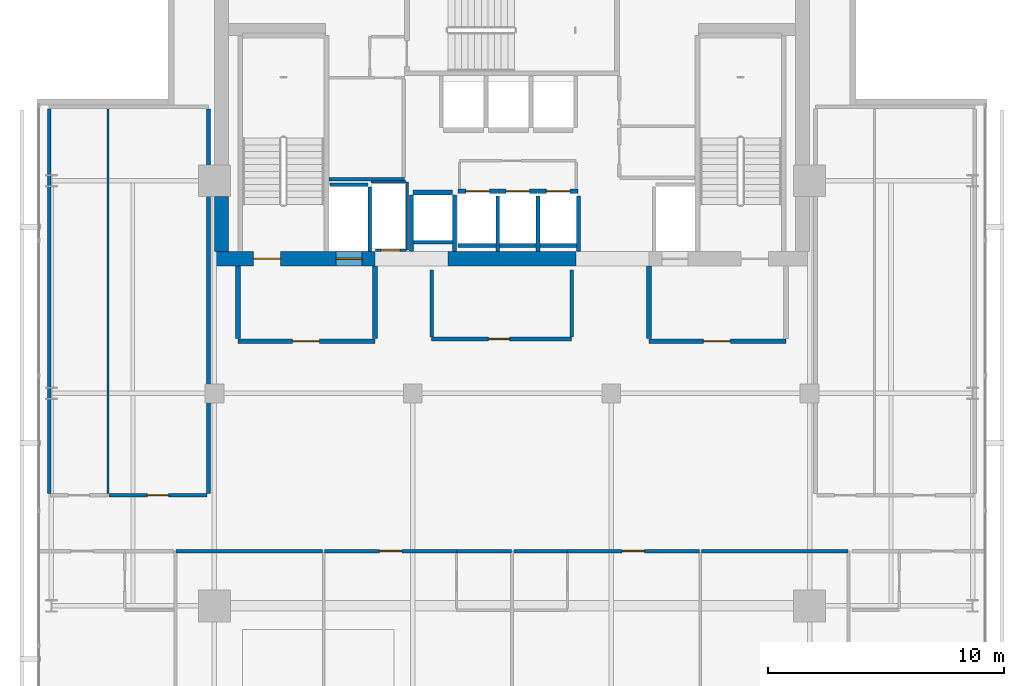
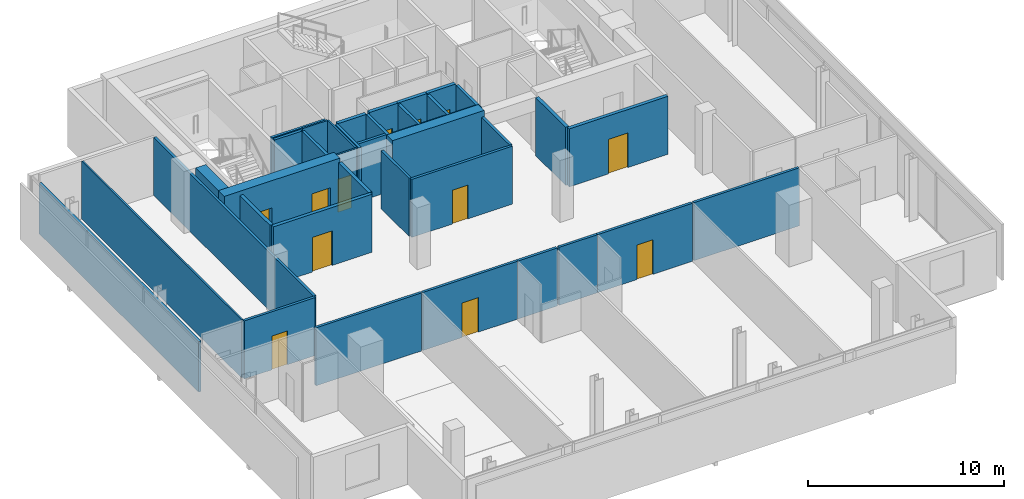
# One storey, part 17 of 23: 38 walls, 12 doors, 12 openings.
"""IFC4 building model written with IfcOpenShell, lengths in metres."""

from ifc_helpers import new_model, si_unit, direction, frame, frame_2d, origin, place, context, subcontext, project, spatial, rectangle, extrude, material, layer, layer_set, type_object, element, fill, save


model = new_model("IFC4")

# Units and contexts
model_context = context("Model", 3, precision=1e-05, world=origin(), true_north=direction((0.0, 1.0)))
body_context = subcontext(model_context, "Body", "Model", "MODEL_VIEW")
ifc_project = project(units=[si_unit("LENGTHUNIT", "METRE"), si_unit("AREAUNIT", "SQUARE_METRE"), si_unit("VOLUMEUNIT", "CUBIC_METRE"), si_unit("PLANEANGLEUNIT", "RADIAN"), si_unit("MASSUNIT", "GRAM", prefix="KILO")], contexts=[model_context])

# Site, building, storey
site_placement = place(None, origin())
site = spatial("IfcSite", under=ifc_project, at=site_placement, CompositionType="ELEMENT")
building_placement = place(site_placement, origin())
building = spatial("IfcBuilding", under=site, at=building_placement, Name="Maruvema Waterfront Hotel and Observation Tower", CompositionType="ELEMENT")
storey_placement = place(building_placement, frame((0.0, 0.0, 341.25)))
storey = spatial("IfcBuildingStorey", under=building, at=storey_placement, Name="L84", CompositionType="ELEMENT", Elevation=341.25)

# Wall
ifc_material_1 = material(Name="Twin-stud acoustic gypsum drywall", Category="gypsum")
ifc_layer_1 = layer(ifc_material_1, 0.14990234375, Name="Acoustic Corridor and Suite Demising Wall 150 mm")
ifc_layer_set_1 = layer_set([ifc_layer_1], Name="Twin-stud acoustic gypsum drywall")
wall_type_1 = type_object("IfcWallType", Name="Acoustic Corridor and Suite Demising Wall 150 mm", PredefinedType="PARTITIONING", material=ifc_layer_set_1)
wall_1_placement = place(storey_placement, frame((30.06005859375, 45.06005859375, 0.0), z_axis=(0.0, 0.0, 1.0), x_axis=(1.0, 0.0, 0.0)))
element("IfcWall", 1, at=wall_1_placement, inside=storey, type_object=wall_type_1, Name="L84 Freed B1 South Wall 013", PredefinedType="PARTITIONING", context=body_context, shape_type="SweptSolid", body=[
    extrude(rectangle(XDim=3.179931640625, YDim=0.14990234375, at=frame_2d((1.58984375, 0.0))), origin(), (0.0, 0.0, 1.0), 3.610107421875),
])

# Wall, opening, door
wall_2_placement = place(storey_placement, frame((34.39990234375, 38.300048828125, 0.0), z_axis=(0.0, 0.0, 1.0), x_axis=(1.0, 0.0, 0.0)))
wall_2 = element("IfcWall", 2, at=wall_2_placement, inside=storey, type_object=wall_type_1, Name="L84 Core Apron K0 South 022", PredefinedType="PARTITIONING", context=body_context, shape_type="SweptSolid", body=[
    extrude(rectangle(XDim=5.920166015625, YDim=0.14990234375, at=frame_2d((2.9599609375, 0.0))), origin(), (0.0, 0.0, 1.0), 3.610107421875),
])
opening_1_placement = place(wall_2_placement, frame((2.39990234375, 0.0, 0.0)))
opening_1 = element("IfcOpeningElement", 3, at=opening_1_placement, cuts=wall_2, Name="Opening DR-090", PredefinedType="OPENING", context=body_context, shape_type="SweptSolid", body=[
    extrude(rectangle(XDim=0.89990234375, YDim=2.10009765625, at=frame_2d((0.449951171875, 1.050048828125))), frame((0.0, 0.0849609375, 0.0), z_axis=(0.0, -1.0, 0.0), x_axis=(1.0, 0.0, 0.0)), (0.0, 0.0, 1.0), 0.169921875),
])
ifc_material_2 = material(Name="Solid-core lacquered timber leaf", Category="wood")
door_type_1 = type_object("IfcDoorType", Name="Accessible Toilet and Room Door 900x2100 mm", OperationType="NOTDEFINED", PredefinedType="DOOR", material=ifc_material_2)
door_1_placement = place(opening_1_placement, frame((0.89990234375, 0.0, 0.0), z_axis=(0.0, 0.0, 1.0), x_axis=(-1.0, 0.0, 0.0)))
door_1 = element("IfcDoor", 4, at=door_1_placement, inside=storey, type_object=door_type_1, Name="L84 Core Valet Room Door", OperationType="SINGLE_SWING_LEFT", OverallHeight=2.10009765625, OverallWidth=0.89990234375, PredefinedType="DOOR", context=body_context, shape_type="SweptSolid", body=[
    extrude(rectangle(XDim=0.89990234375, YDim=2.10009765625, at=frame_2d((0.449951171875, 1.050048828125))), frame((0.0, 0.02490234375, 0.0), z_axis=(0.0, -1.0, 0.0), x_axis=(1.0, 0.0, 0.0)), (0.0, 0.0, 1.0), 0.050048828125),
])
fill(opening_1, door_1)

# Walls
for number, where, z_axis, x_axis, name in (
    (5, (34.39990234375, 38.3798828125, 0.0), (0.0, 0.0, 1.0), (0.0, 1.0, 0.0), "L84 Core Apron K0 West 023"),
    (6, (40.320068359375, 38.3798828125, 0.0), (0.0, 0.0, 1.0), (0.0, 1.0, 0.0), "L84 Core Apron K0 East 024"),
):
    element("IfcWall", number, at=place(storey_placement, frame(where, z_axis=z_axis, x_axis=x_axis)), inside=storey, type_object=wall_type_1, Name=name, PredefinedType="PARTITIONING", context=body_context, shape_type="SweptSolid", body=[
        extrude(rectangle(XDim=2.840087890625, YDim=0.14990234375, at=frame_2d((1.419921875, 0.0))), origin(), (0.0, 0.0, 1.0), 3.610107421875),
    ])
wall_3_placement = place(storey_placement, frame((18.199951171875, 31.760009765625, 0.0), z_axis=(0.0, 0.0, 1.0), x_axis=(0.0, 1.0, 0.0)))
element("IfcWall", 7, at=wall_3_placement, inside=storey, type_object=wall_type_1, Name="L84 L84-Z4W West Wall 026", PredefinedType="PARTITIONING", context=body_context, shape_type="SweptSolid", body=[
    extrude(rectangle(XDim=16.284912109375, YDim=0.14990234375, at=frame_2d((8.142578125, 0.0))), origin(), (0.0, 0.0, 1.0), 3.14111328125),
])
wall_4_placement = place(storey_placement, frame((24.949951171875, 31.760009765625, 0.0), z_axis=(0.0, 0.0, 1.0), x_axis=(0.0, 1.0, 0.0)))
element("IfcWall", 8, at=wall_4_placement, inside=storey, type_object=wall_type_1, Name="L84 L84-Z4W East Wall 027", PredefinedType="PARTITIONING", context=body_context, shape_type="SweptSolid", body=[
    extrude(rectangle(XDim=16.284912109375, YDim=0.14990234375, at=frame_2d((8.142578125, 0.0))), origin(), (0.0, 0.0, 1.0), 3.610107421875),
])

# Wall, opening, door
wall_5_placement = place(storey_placement, frame((20.7275390625, 31.679931640625, 0.0), z_axis=(0.0, 0.0, 1.0), x_axis=(1.0, 0.0, 0.0)))
wall_5 = element("IfcWall", 9, at=wall_5_placement, inside=storey, type_object=wall_type_1, Name="L84 L84-Z4W Front 2 030", PredefinedType="PARTITIONING", context=body_context, shape_type="SweptSolid", body=[
    extrude(rectangle(XDim=4.162353515625, YDim=0.14990234375, at=frame_2d((2.0810546875, 0.0))), origin(), (0.0, 0.0, 1.0), 3.610107421875),
])
opening_2_placement = place(wall_5_placement, frame((1.63134765625, 0.0, 0.0)))
opening_2 = element("IfcOpeningElement", 10, at=opening_2_placement, cuts=wall_5, Name="Opening DR-090", PredefinedType="OPENING", context=body_context, shape_type="SweptSolid", body=[
    extrude(rectangle(XDim=0.89990234375, YDim=2.10009765625, at=frame_2d((0.449951171875, 1.050048828125))), frame((0.0, 0.0849609375, 0.0), z_axis=(0.0, -1.0, 0.0), x_axis=(1.0, 0.0, 0.0)), (0.0, 0.0, 1.0), 0.169921875),
])
door_2_placement = place(opening_2_placement, frame((0.89990234375, 0.0, 0.0), z_axis=(0.0, 0.0, 1.0), x_axis=(-1.0, 0.0, 0.0)))
door_2 = element("IfcDoor", 11, at=door_2_placement, inside=storey, type_object=door_type_1, Name="L84 Private Sommelier Dining Room Door", OperationType="SINGLE_SWING_LEFT", OverallHeight=2.10009765625, OverallWidth=0.89990234375, PredefinedType="DOOR", context=body_context, shape_type="SweptSolid", body=[
    extrude(rectangle(XDim=0.89990234375, YDim=2.10009765625, at=frame_2d((0.449951171875, 1.050048828125))), frame((0.0, 0.02490234375, 0.0), z_axis=(0.0, -1.0, 0.0), x_axis=(1.0, 0.0, 0.0)), (0.0, 0.0, 1.0), 0.050048828125),
])
fill(opening_2, door_2)

# Walls
wall_6_placement = place(storey_placement, frame((35.449951171875, 29.320068359375, 0.0), z_axis=(0.0, 0.0, 1.0), x_axis=(1.0, 0.0, 0.0)))
element("IfcWall", 12, at=wall_6_placement, inside=storey, type_object=wall_type_1, Name="L84 Bath L84-SK1 Back Wall 039", PredefinedType="PARTITIONING", context=body_context, shape_type="SweptSolid", body=[
    extrude(rectangle(XDim=2.330078125, YDim=0.14990234375, at=frame_2d((1.1650390625, 0.0))), origin(), (0.0, 0.0, 1.0), 3.610107421875),
])
wall_7_placement = place(storey_placement, frame((23.58251953125, 29.320068359375, 0.0), z_axis=(0.0, 0.0, 1.0), x_axis=(1.0, 0.0, 0.0)))
element("IfcWall", 13, at=wall_7_placement, inside=storey, type_object=wall_type_1, Name="L84 Bedroom L84-SK1 Back Wall 042", PredefinedType="PARTITIONING", context=body_context, shape_type="SweptSolid", body=[
    extrude(rectangle(XDim=6.20458984375, YDim=0.14990234375, at=frame_2d((3.102294921875, 0.0))), origin(), (0.0, 0.0, 1.0), 3.610107421875),
])

# Wall, opening, door
wall_8_placement = place(storey_placement, frame((29.866943359375, 29.320068359375, 0.0), z_axis=(0.0, 0.0, 1.0), x_axis=(1.0, 0.0, 0.0)))
wall_8 = element("IfcWall", 14, at=wall_8_placement, inside=storey, type_object=wall_type_1, Name="L84 Unit L84-SK1 Corridor Wall 043", PredefinedType="PARTITIONING", context=body_context, shape_type="SweptSolid", body=[
    extrude(rectangle(XDim=5.5830078125, YDim=0.14990234375, at=frame_2d((2.79150390625, 0.0))), origin(), (0.0, 0.0, 1.0), 3.610107421875),
])
opening_3_placement = place(wall_8_placement, frame((2.31640625, 0.0, 0.0)))
opening_3 = element("IfcOpeningElement", 15, at=opening_3_placement, cuts=wall_8, Name="Opening DR-095", PredefinedType="OPENING", context=body_context, shape_type="SweptSolid", body=[
    extrude(rectangle(XDim=0.949951171875, YDim=2.14990234375, at=frame_2d((0.47509765625, 1.074951171875))), frame((0.0, 0.0849609375, 0.0), z_axis=(0.0, -1.0, 0.0), x_axis=(1.0, 0.0, 0.0)), (0.0, 0.0, 1.0), 0.169921875),
])
ifc_material_3 = material(Name="Acoustic solid-core hardwood timber leaf", Category="wood")
door_type_2 = type_object("IfcDoorType", Name="Guestroom Entrance Fire Door 950x2150 mm", OperationType="NOTDEFINED", PredefinedType="DOOR", material=ifc_material_3)
door_3_placement = place(opening_3_placement, frame((0.949951171875, 0.0, 0.0), z_axis=(0.0, 0.0, 1.0), x_axis=(-1.0, 0.0, 0.0)))
door_3 = element("IfcDoor", 16, at=door_3_placement, inside=storey, type_object=door_type_2, Name="L84 Unit L84-SK1 Entrance Door", OperationType="SINGLE_SWING_LEFT", OverallHeight=2.14990234375, OverallWidth=0.949951171875, PredefinedType="DOOR", context=body_context, shape_type="SweptSolid", body=[
    extrude(rectangle(XDim=0.949951171875, YDim=2.14990234375, at=frame_2d((0.47509765625, 1.074951171875))), frame((0.0, 0.02490234375, 0.0), z_axis=(0.0, -1.0, 0.0), x_axis=(1.0, 0.0, 0.0)), (0.0, 0.0, 1.0), 0.050048828125),
])
fill(opening_3, door_3)

# Wall
wall_9_placement = place(storey_placement, frame((37.8798828125, 29.320068359375, 0.0), z_axis=(0.0, 0.0, 1.0), x_axis=(1.0, 0.0, 0.0)))
element("IfcWall", 17, at=wall_9_placement, inside=storey, type_object=wall_type_1, Name="L84 Bath L84-SK2 Back Wall 046", PredefinedType="PARTITIONING", context=body_context, shape_type="SweptSolid", body=[
    extrude(rectangle(XDim=2.27001953125, YDim=0.14990234375, at=frame_2d((1.135009765625, 0.0))), origin(), (0.0, 0.0, 1.0), 3.610107421875),
])

# Wall, opening, door
wall_10_placement = place(storey_placement, frame((40.14990234375, 29.320068359375, 0.0), z_axis=(0.0, 0.0, 1.0), x_axis=(1.0, 0.0, 0.0)))
wall_10 = element("IfcWall", 18, at=wall_10_placement, inside=storey, type_object=wall_type_1, Name="L84 Unit L84-SK2 Corridor Wall 049", PredefinedType="PARTITIONING", context=body_context, shape_type="SweptSolid", body=[
    extrude(rectangle(XDim=5.5830078125, YDim=0.14990234375, at=frame_2d((2.79150390625, 0.0))), origin(), (0.0, 0.0, 1.0), 3.610107421875),
])
opening_4_placement = place(wall_10_placement, frame((2.31640625, 0.0, 0.0)))
opening_4 = element("IfcOpeningElement", 19, at=opening_4_placement, cuts=wall_10, Name="Opening DR-095", PredefinedType="OPENING", context=body_context, shape_type="SweptSolid", body=[
    extrude(rectangle(XDim=0.949951171875, YDim=2.14990234375, at=frame_2d((0.47509765625, 1.074951171875))), frame((0.0, 0.0849609375, 0.0), z_axis=(0.0, -1.0, 0.0), x_axis=(1.0, 0.0, 0.0)), (0.0, 0.0, 1.0), 0.169921875),
])
door_4_placement = place(opening_4_placement, frame((0.949951171875, 0.0, 0.0), z_axis=(0.0, 0.0, 1.0), x_axis=(-1.0, 0.0, 0.0)))
door_4 = element("IfcDoor", 20, at=door_4_placement, inside=storey, type_object=door_type_2, Name="L84 Unit L84-SK2 Entrance Door", OperationType="SINGLE_SWING_RIGHT", OverallHeight=2.14990234375, OverallWidth=0.949951171875, PredefinedType="DOOR", context=body_context, shape_type="SweptSolid", body=[
    extrude(rectangle(XDim=0.949951171875, YDim=2.14990234375, at=frame_2d((0.47509765625, 1.074951171875))), frame((0.0, 0.02490234375, 0.0), z_axis=(0.0, -1.0, 0.0), x_axis=(1.0, 0.0, 0.0)), (0.0, 0.0, 1.0), 0.050048828125),
])
fill(opening_4, door_4)

# Wall
wall_11_placement = place(storey_placement, frame((45.81298828125, 29.320068359375, 0.0), z_axis=(0.0, 0.0, 1.0), x_axis=(1.0, 0.0, 0.0)))
element("IfcWall", 21, at=wall_11_placement, inside=storey, type_object=wall_type_1, Name="L84 Bedroom L84-SK2 Back Wall 050", PredefinedType="PARTITIONING", context=body_context, shape_type="SweptSolid", body=[
    extrude(rectangle(XDim=6.20458984375, YDim=0.14990234375, at=frame_2d((3.102294921875, 0.0))), origin(), (0.0, 0.0, 1.0), 3.610107421875),
])

# Wall, opening, door
ifc_material_4 = material(Name="Precast concrete C45/55", Category="concrete")
ifc_layer_2 = layer(ifc_material_4, 0.199951171875, Name="Core Shaft and Stairwell Enclosure Wall 200 mm")
ifc_layer_set_2 = layer_set([ifc_layer_2], Name="Precast concrete C45/55")
wall_type_2 = type_object("IfcWallType", Name="Core Shaft and Stairwell Enclosure Wall 200 mm", PredefinedType="SOLIDWALL", material=ifc_layer_set_2)
wall_12_placement = place(storey_placement, frame((35.510009765625, 44.550048828125, 0.0), z_axis=(0.0, 0.0, 1.0), x_axis=(1.0, 0.0, 0.0)))
wall_12 = element("IfcWall", 22, at=wall_12_placement, inside=storey, type_object=wall_type_2, Name="L84 Lift LF-09 Hoistway Front Wall", PredefinedType="SOLIDWALL", context=body_context, shape_type="SweptSolid", body=[
    extrude(rectangle(XDim=1.679931640625, YDim=0.199951171875, at=frame_2d((0.83984375, 0.0))), origin(), (0.0, 0.0, 1.0), 3.610107421875),
])
opening_5_placement = place(wall_12_placement, frame((0.340087890625, 0.0, 0.0)))
opening_5 = element("IfcOpeningElement", 23, at=opening_5_placement, cuts=wall_12, Name="Opening LD-01", PredefinedType="OPENING", context=body_context, shape_type="SweptSolid", body=[
    extrude(rectangle(XDim=1.0, YDim=2.14990234375, at=frame_2d((0.5, 1.074951171875))), frame((0.0, 0.10986328125, 0.0), z_axis=(0.0, -1.0, 0.0), x_axis=(1.0, 0.0, 0.0)), (0.0, 0.0, 1.0), 0.219970703125),
])
ifc_material_5 = material(Name="Brushed stainless steel Grade 316", Category="steel")
door_type_3 = type_object("IfcDoorType", Name="Passenger Lift Sliding Landing Door 1000x2150 mm", OperationType="SLIDING_TO_LEFT", PredefinedType="DOOR", material=ifc_material_5)
door_5_placement = place(opening_5_placement, origin())
door_5 = element("IfcDoor", 24, at=door_5_placement, inside=storey, type_object=door_type_3, Name="L84 Lift LF-09 Sliding Landing Door", OperationType="SLIDING_TO_LEFT", OverallHeight=2.14990234375, OverallWidth=1.0, PredefinedType="DOOR", context=body_context, shape_type="SweptSolid", body=[
    extrude(rectangle(XDim=1.0, YDim=2.14990234375, at=frame_2d((0.5, 1.074951171875))), frame((0.0, 0.02490234375, 0.0), z_axis=(0.0, -1.0, 0.0), x_axis=(1.0, 0.0, 0.0)), (0.0, 0.0, 1.0), 0.050048828125),
])
fill(opening_5, door_5)

wall_13_placement = place(storey_placement, frame((37.2099609375, 44.550048828125, 0.0), z_axis=(0.0, 0.0, 1.0), x_axis=(1.0, 0.0, 0.0)))
wall_13 = element("IfcWall", 25, at=wall_13_placement, inside=storey, type_object=wall_type_2, Name="L84 Lift LF-10 Hoistway Front Wall", PredefinedType="SOLIDWALL", context=body_context, shape_type="SweptSolid", body=[
    extrude(rectangle(XDim=1.679931640625, YDim=0.199951171875, at=frame_2d((0.83984375, 0.0))), origin(), (0.0, 0.0, 1.0), 3.610107421875),
])
opening_6_placement = place(wall_13_placement, frame((0.340087890625, 0.0, 0.0)))
opening_6 = element("IfcOpeningElement", 26, at=opening_6_placement, cuts=wall_13, Name="Opening LD-01", PredefinedType="OPENING", context=body_context, shape_type="SweptSolid", body=[
    extrude(rectangle(XDim=1.0, YDim=2.14990234375, at=frame_2d((0.5, 1.074951171875))), frame((0.0, 0.10986328125, 0.0), z_axis=(0.0, -1.0, 0.0), x_axis=(1.0, 0.0, 0.0)), (0.0, 0.0, 1.0), 0.219970703125),
])
door_6_placement = place(opening_6_placement, origin())
door_6 = element("IfcDoor", 27, at=door_6_placement, inside=storey, type_object=door_type_3, Name="L84 Lift LF-10 Sliding Landing Door", OperationType="SLIDING_TO_LEFT", OverallHeight=2.14990234375, OverallWidth=1.0, PredefinedType="DOOR", context=body_context, shape_type="SweptSolid", body=[
    extrude(rectangle(XDim=1.0, YDim=2.14990234375, at=frame_2d((0.5, 1.074951171875))), frame((0.0, 0.02490234375, 0.0), z_axis=(0.0, -1.0, 0.0), x_axis=(1.0, 0.0, 0.0)), (0.0, 0.0, 1.0), 0.050048828125),
])
fill(opening_6, door_6)

wall_14_placement = place(storey_placement, frame((38.909912109375, 44.550048828125, 0.0), z_axis=(0.0, 0.0, 1.0), x_axis=(1.0, 0.0, 0.0)))
wall_14 = element("IfcWall", 28, at=wall_14_placement, inside=storey, type_object=wall_type_2, Name="L84 Lift LF-11 Hoistway Front Wall", PredefinedType="SOLIDWALL", context=body_context, shape_type="SweptSolid", body=[
    extrude(rectangle(XDim=1.68017578125, YDim=0.199951171875, at=frame_2d((0.840087890625, 0.0))), origin(), (0.0, 0.0, 1.0), 3.610107421875),
])
opening_7_placement = place(wall_14_placement, frame((0.340087890625, 0.0, 0.0)))
opening_7 = element("IfcOpeningElement", 29, at=opening_7_placement, cuts=wall_14, Name="Opening LD-01", PredefinedType="OPENING", context=body_context, shape_type="SweptSolid", body=[
    extrude(rectangle(XDim=1.0, YDim=2.14990234375, at=frame_2d((0.5, 1.074951171875))), frame((0.0, 0.10986328125, 0.0), z_axis=(0.0, -1.0, 0.0), x_axis=(1.0, 0.0, 0.0)), (0.0, 0.0, 1.0), 0.219970703125),
])
door_7_placement = place(opening_7_placement, origin())
door_7 = element("IfcDoor", 30, at=door_7_placement, inside=storey, type_object=door_type_3, Name="L84 Lift LF-11 Sliding Landing Door", OperationType="SLIDING_TO_LEFT", OverallHeight=2.14990234375, OverallWidth=1.0, PredefinedType="DOOR", context=body_context, shape_type="SweptSolid", body=[
    extrude(rectangle(XDim=1.0, YDim=2.14990234375, at=frame_2d((0.5, 1.074951171875))), frame((0.0, 0.02490234375, 0.0), z_axis=(0.0, -1.0, 0.0), x_axis=(1.0, 0.0, 0.0)), (0.0, 0.0, 1.0), 0.050048828125),
])
fill(opening_7, door_7)

# Wall
wall_15_placement = place(storey_placement, frame((33.610107421875, 44.5, 0.0), z_axis=(0.0, 0.0, 1.0), x_axis=(1.0, 0.0, 0.0)))
element("IfcWall", 31, at=wall_15_placement, inside=storey, type_object=wall_type_2, Name="L84 Lift LF-15 Hoistway Front Wall", PredefinedType="SOLIDWALL", context=body_context, shape_type="SweptSolid", body=[
    extrude(rectangle(XDim=1.679931640625, YDim=0.199951171875, at=frame_2d((0.83984375, 0.0))), origin(), (0.0, 0.0, 1.0), 3.610107421875),
])

# Wall, openings, doors
ifc_material_6 = material(Name="Concrete C60/75", Category="concrete")
ifc_layer_3 = layer(ifc_material_6, 0.60009765625, Name="Core Shear Wall 600 mm")
ifc_layer_set_3 = layer_set([ifc_layer_3], Name="Concrete C60/75")
wall_type_3 = type_object("IfcWallType", Name="Core Shear Wall 600 mm", PredefinedType="SHEAR", material=ifc_layer_set_3)
wall_16_placement = place(storey_placement, frame((25.199951171875, 41.699951171875, 0.0), z_axis=(0.0, 0.0, 1.0), x_axis=(1.0, 0.0, 0.0)))
wall_16 = element("IfcWall", 32, at=wall_16_placement, inside=storey, type_object=wall_type_3, Name="L84 South-West Core Shear Wall", PredefinedType="SHEAR", context=body_context, shape_type="SweptSolid", body=[
    extrude(rectangle(XDim=6.800048828125, YDim=0.60009765625, at=frame_2d((3.39990234375, 0.0))), origin(), (0.0, 0.0, 1.0), 3.85009765625),
])
opening_8_placement = place(wall_16_placement, frame((1.64990234375, 0.0, 0.0)))
opening_8 = element("IfcOpeningElement", 33, at=opening_8_placement, cuts=wall_16, Name="Opening SD-01", PredefinedType="OPENING", context=body_context, shape_type="SweptSolid", body=[
    extrude(rectangle(XDim=1.14990234375, YDim=2.14990234375, at=frame_2d((0.574951171875, 1.074951171875))), frame((0.0, 0.31005859375, 0.0), z_axis=(0.0, -1.0, 0.0), x_axis=(1.0, 0.0, 0.0)), (0.0, 0.0, 1.0), 0.6201171875),
])
opening_9_placement = place(wall_16_placement, frame((5.14990234375, 0.0, 0.0)))
opening_9 = element("IfcOpeningElement", 34, at=opening_9_placement, cuts=wall_16, Name="Opening LD-03", PredefinedType="OPENING", context=body_context, shape_type="SweptSolid", body=[
    extrude(rectangle(XDim=1.10009765625, YDim=2.199951171875, at=frame_2d((0.550048828125, 1.10009765625))), frame((0.0, 0.31005859375, 0.0), z_axis=(0.0, -1.0, 0.0), x_axis=(1.0, 0.0, 0.0)), (0.0, 0.0, 1.0), 0.6201171875),
])
ifc_material_7 = material(Name="Fire-rated galvanised steel leaf", Category="steel")
door_type_4 = type_object("IfcDoorType", Name="Exit Stair Fire Door 1150x2150 mm", OperationType="NOTDEFINED", PredefinedType="DOOR", material=ifc_material_7)
door_8_placement = place(opening_8_placement, origin())
door_8 = element("IfcDoor", 35, at=door_8_placement, inside=storey, type_object=door_type_4, Name="L84 Exit Stair ST-01 Fire Door", OperationType="SINGLE_SWING_LEFT", OverallHeight=2.14990234375, OverallWidth=1.14990234375, PredefinedType="DOOR", context=body_context, shape_type="SweptSolid", body=[
    extrude(rectangle(XDim=1.14990234375, YDim=2.14990234375, at=frame_2d((0.574951171875, 1.074951171875))), frame((0.0, 0.02490234375, 0.0), z_axis=(0.0, -1.0, 0.0), x_axis=(1.0, 0.0, 0.0)), (0.0, 0.0, 1.0), 0.050048828125),
])
fill(opening_8, door_8)
ifc_material_8 = material(Name="Brushed stainless steel Grade 316", Category="steel")
door_type_5 = type_object("IfcDoorType", Name="Firefighting Lift Sliding Landing Door 1100x2200 mm", OperationType="SLIDING_TO_LEFT", PredefinedType="DOOR", material=ifc_material_8)
door_9_placement = place(opening_9_placement, frame((1.10009765625, 0.0, 0.0), z_axis=(0.0, 0.0, 1.0), x_axis=(-1.0, 0.0, 0.0)))
door_9 = element("IfcDoor", 36, at=door_9_placement, inside=storey, type_object=door_type_5, Name="L84 Firefighting Lift FL-01 Landing Door", OperationType="SLIDING_TO_LEFT", OverallHeight=2.199951171875, OverallWidth=1.10009765625, PredefinedType="DOOR", context=body_context, shape_type="SweptSolid", body=[
    extrude(rectangle(XDim=1.10009765625, YDim=2.199951171875, at=frame_2d((0.550048828125, 1.10009765625))), frame((0.0, 0.02490234375, 0.0), z_axis=(0.0, -1.0, 0.0), x_axis=(1.0, 0.0, 0.0)), (0.0, 0.0, 1.0), 0.050048828125),
])
fill(opening_9, door_9)

# Walls
wall_17_placement = place(storey_placement, frame((35.10009765625, 41.699951171875, 0.0), z_axis=(0.0, 0.0, 1.0), x_axis=(1.0, 0.0, 0.0)))
element("IfcWall", 37, at=wall_17_placement, inside=storey, type_object=wall_type_3, Name="L84 South-Central Core Shear Wall", PredefinedType="SHEAR", context=body_context, shape_type="SweptSolid", body=[
    extrude(rectangle(XDim=5.39990234375, YDim=0.60009765625, at=frame_2d((2.699951171875, 0.0))), origin(), (0.0, 0.0, 1.0), 3.85009765625),
])
wall_18_placement = place(storey_placement, frame((25.5, 42.0, 0.0), z_axis=(0.0, 0.0, 1.0), x_axis=(0.0, 1.0, 0.0)))
element("IfcWall", 38, at=wall_18_placement, inside=storey, type_object=wall_type_3, Name="L84 West-South Core Shear Wall", PredefinedType="SHEAR", context=body_context, shape_type="SweptSolid", body=[
    extrude(rectangle(XDim=2.324951171875, YDim=0.60009765625, at=frame_2d((1.16259765625, 0.0))), origin(), (0.0, 0.0, 1.0), 3.85009765625),
])

# Wall, opening, door
ifc_material_9 = material(Name="Moisture-resistant cement-board drywall", Category="gypsum")
ifc_layer_4 = layer(ifc_material_9, 0.10009765625, Name="En-Suite Moisture-Resistant Partition 100 mm")
ifc_layer_set_4 = layer_set([ifc_layer_4], Name="Moisture-resistant cement-board drywall")
wall_type_4 = type_object("IfcWallType", Name="En-Suite Moisture-Resistant Partition 100 mm", PredefinedType="PARTITIONING", material=ifc_layer_set_4)
wall_19_placement = place(storey_placement, frame((32.02001953125, 42.06005859375, 0.0), z_axis=(0.0, 0.0, 1.0), x_axis=(1.0, 0.0, 0.0)))
wall_19 = element("IfcWall", 39, at=wall_19_placement, inside=storey, type_object=wall_type_4, Name="L84 Telecom Riser South Wall 007", PredefinedType="PARTITIONING", context=body_context, shape_type="SweptSolid", body=[
    extrude(rectangle(XDim=1.320068359375, YDim=0.10009765625, at=frame_2d((0.66015625, 0.0))), origin(), (0.0, 0.0, 1.0), 3.610107421875),
])
opening_10_placement = place(wall_19_placement, frame((0.239990234375, 0.0, 0.0)))
opening_10 = element("IfcOpeningElement", 40, at=opening_10_placement, cuts=wall_19, Name="Opening DR-080", PredefinedType="OPENING", context=body_context, shape_type="SweptSolid", body=[
    extrude(rectangle(XDim=0.800048828125, YDim=2.050048828125, at=frame_2d((0.39990234375, 1.02490234375))), frame((0.0, 0.06005859375, 0.0), z_axis=(0.0, -1.0, 0.0), x_axis=(1.0, 0.0, 0.0)), (0.0, 0.0, 1.0), 0.1201171875),
])
ifc_material_10 = material(Name="Powder-coated steel access leaf", Category="steel")
door_type_6 = type_object("IfcDoorType", Name="Riser and Service Cupboard Door 800x2050 mm", OperationType="NOTDEFINED", PredefinedType="DOOR", material=ifc_material_10)
door_10_placement = place(opening_10_placement, frame((0.800048828125, 0.0, 0.0), z_axis=(0.0, 0.0, 1.0), x_axis=(-1.0, 0.0, 0.0)))
door_10 = element("IfcDoor", 41, at=door_10_placement, inside=storey, type_object=door_type_6, Name="L84 Telecom Riser Door", OperationType="SINGLE_SWING_LEFT", OverallHeight=2.050048828125, OverallWidth=0.800048828125, PredefinedType="DOOR", context=body_context, shape_type="SweptSolid", body=[
    extrude(rectangle(XDim=0.800048828125, YDim=2.050048828125, at=frame_2d((0.39990234375, 1.02490234375))), frame((0.0, 0.02490234375, 0.0), z_axis=(0.0, -1.0, 0.0), x_axis=(1.0, 0.0, 0.0)), (0.0, 0.0, 1.0), 0.050048828125),
])
fill(opening_10, door_10)

# Walls
wall_20_placement = place(storey_placement, frame((31.840087890625, 44.9599609375, 0.0), z_axis=(0.0, 0.0, 1.0), x_axis=(1.0, 0.0, 0.0)))
element("IfcWall", 42, at=wall_20_placement, inside=storey, type_object=wall_type_4, Name="L84 Telecom Riser North Wall 008", PredefinedType="PARTITIONING", context=body_context, shape_type="SweptSolid", body=[
    extrude(rectangle(XDim=1.47998046875, YDim=0.10009765625, at=frame_2d((0.739990234375, 0.0))), origin(), (0.0, 0.0, 1.0), 3.610107421875),
])
wall_21_placement = place(storey_placement, frame((33.360107421875, 42.06005859375, 0.0), z_axis=(0.0, 0.0, 1.0), x_axis=(0.0, 1.0, 0.0)))
element("IfcWall", 43, at=wall_21_placement, inside=storey, type_object=wall_type_4, Name="L84 Telecom Riser East Wall 009", PredefinedType="PARTITIONING", context=body_context, shape_type="SweptSolid", body=[
    extrude(rectangle(XDim=2.8798828125, YDim=0.10009765625, at=frame_2d((1.43994140625, 0.0))), origin(), (0.0, 0.0, 1.0), 3.610107421875),
])
wall_22_placement = place(storey_placement, frame((20.697509765625, 31.760009765625, 0.0), z_axis=(0.0, 0.0, 1.0), x_axis=(0.0, 1.0, 0.0)))
element("IfcWall", 44, at=wall_22_placement, inside=storey, type_object=wall_type_4, Name="L84 L84-Z4W Split 1 029", PredefinedType="PARTITIONING", context=body_context, shape_type="SweptSolid", body=[
    extrude(rectangle(XDim=16.284912109375, YDim=0.10009765625, at=frame_2d((8.142578125, 0.0))), origin(), (0.0, 0.0, 1.0), 3.610107421875),
])

# Wall, opening, door
ifc_material_11 = material(Name="Autoclaved cellular concrete blockwork", Category="masonry")
ifc_layer_5 = layer(ifc_material_11, 0.199951171875, Name="Fire Compartment Masonry Wall 200 mm")
ifc_layer_set_5 = layer_set([ifc_layer_5], Name="Autoclaved cellular concrete blockwork")
wall_type_5 = type_object("IfcWallType", Name="Fire Compartment Masonry Wall 200 mm", PredefinedType="PARTITIONING", material=ifc_layer_set_5)
wall_23_placement = place(storey_placement, frame((26.199951171875, 38.199951171875, 0.0), z_axis=(0.0, 0.0, 1.0), x_axis=(1.0, 0.0, 0.0)))
wall_23 = element("IfcWall", 45, at=wall_23_placement, inside=storey, type_object=wall_type_5, Name="L84 FFL West South Wall 001", PredefinedType="PARTITIONING", context=body_context, shape_type="SweptSolid", body=[
    extrude(rectangle(XDim=5.800048828125, YDim=0.199951171875, at=frame_2d((2.89990234375, 0.0))), origin(), (0.0, 0.0, 1.0), 3.610107421875),
])
opening_11_placement = place(wall_23_placement, frame((2.300048828125, 0.0, 0.0)))
opening_11 = element("IfcOpeningElement", 46, at=opening_11_placement, cuts=wall_23, Name="Opening FD-115", PredefinedType="OPENING", context=body_context, shape_type="SweptSolid", body=[
    extrude(rectangle(XDim=1.14990234375, YDim=2.14990234375, at=frame_2d((0.574951171875, 1.074951171875))), frame((0.0, 0.10986328125, 0.0), z_axis=(0.0, -1.0, 0.0), x_axis=(1.0, 0.0, 0.0)), (0.0, 0.0, 1.0), 0.219970703125),
])
ifc_material_12 = material(Name="Fire-rated galvanised steel and vision glass", Category="steel")
door_type_7 = type_object("IfcDoorType", Name="Firefighting Lobby Fire Door 1150x2150 mm", OperationType="NOTDEFINED", PredefinedType="DOOR", material=ifc_material_12)
door_11_placement = place(opening_11_placement, frame((1.14990234375, 0.0, 0.0), z_axis=(0.0, 0.0, 1.0), x_axis=(-1.0, 0.0, 0.0)))
door_11 = element("IfcDoor", 47, at=door_11_placement, inside=storey, type_object=door_type_7, Name="L84 Firefighting Lobby West Door", OperationType="SINGLE_SWING_LEFT", OverallHeight=2.14990234375, OverallWidth=1.14990234375, PredefinedType="DOOR", context=body_context, shape_type="SweptSolid", body=[
    extrude(rectangle(XDim=1.14990234375, YDim=2.14990234375, at=frame_2d((0.574951171875, 1.074951171875))), frame((0.0, 0.02490234375, 0.0), z_axis=(0.0, -1.0, 0.0), x_axis=(1.0, 0.0, 0.0)), (0.0, 0.0, 1.0), 0.050048828125),
])
fill(opening_11, door_11)

# Walls
for number, where, z_axis, x_axis, name in (
    (48, (26.199951171875, 38.31005859375, 0.0), (0.0, 0.0, 1.0), (0.0, 1.0, 0.0), "L84 FFL West West Wall 002"),
    (49, (32.0, 38.31005859375, 0.0), (0.0, 0.0, 1.0), (0.0, 1.0, 0.0), "L84 FFL West East Wall 003"),
):
    element("IfcWall", number, at=place(storey_placement, frame(where, z_axis=z_axis, x_axis=x_axis)), inside=storey, type_object=wall_type_5, Name=name, PredefinedType="PARTITIONING", context=body_context, shape_type="SweptSolid", body=[
        extrude(rectangle(XDim=3.06982421875, YDim=0.199951171875, at=frame_2d((1.534912109375, 0.0))), origin(), (0.0, 0.0, 1.0), 3.610107421875),
    ])

# Wall, opening, door
wall_24_placement = place(storey_placement, frame((43.60009765625, 38.199951171875, 0.0), z_axis=(0.0, 0.0, 1.0), x_axis=(1.0, 0.0, 0.0)))
wall_24 = element("IfcWall", 50, at=wall_24_placement, inside=storey, type_object=wall_type_5, Name="L84 FFL East South Wall 004", PredefinedType="PARTITIONING", context=body_context, shape_type="SweptSolid", body=[
    extrude(rectangle(XDim=5.7998046875, YDim=0.199951171875, at=frame_2d((2.89990234375, 0.0))), origin(), (0.0, 0.0, 1.0), 3.610107421875),
])
opening_12_placement = place(wall_24_placement, frame((2.300048828125, 0.0, 0.0)))
opening_12 = element("IfcOpeningElement", 51, at=opening_12_placement, cuts=wall_24, Name="Opening FD-115", PredefinedType="OPENING", context=body_context, shape_type="SweptSolid", body=[
    extrude(rectangle(XDim=1.14990234375, YDim=2.14990234375, at=frame_2d((0.574951171875, 1.074951171875))), frame((0.0, 0.10986328125, 0.0), z_axis=(0.0, -1.0, 0.0), x_axis=(1.0, 0.0, 0.0)), (0.0, 0.0, 1.0), 0.219970703125),
])
door_12_placement = place(opening_12_placement, frame((1.14990234375, 0.0, 0.0), z_axis=(0.0, 0.0, 1.0), x_axis=(-1.0, 0.0, 0.0)))
door_12 = element("IfcDoor", 52, at=door_12_placement, inside=storey, type_object=door_type_7, Name="L84 Firefighting Lobby East Door", OperationType="SINGLE_SWING_RIGHT", OverallHeight=2.14990234375, OverallWidth=1.14990234375, PredefinedType="DOOR", context=body_context, shape_type="SweptSolid", body=[
    extrude(rectangle(XDim=1.14990234375, YDim=2.14990234375, at=frame_2d((0.574951171875, 1.074951171875))), frame((0.0, 0.02490234375, 0.0), z_axis=(0.0, -1.0, 0.0), x_axis=(1.0, 0.0, 0.0)), (0.0, 0.0, 1.0), 0.050048828125),
])
fill(opening_12, door_12)

# Walls
wall_25_placement = place(storey_placement, frame((43.60009765625, 38.31005859375, 0.0), z_axis=(0.0, 0.0, 1.0), x_axis=(0.0, 1.0, 0.0)))
element("IfcWall", 53, at=wall_25_placement, inside=storey, type_object=wall_type_5, Name="L84 FFL East West Wall 005", PredefinedType="PARTITIONING", context=body_context, shape_type="SweptSolid", body=[
    extrude(rectangle(XDim=3.06982421875, YDim=0.199951171875, at=frame_2d((1.534912109375, 0.0))), origin(), (0.0, 0.0, 1.0), 3.610107421875),
])
ifc_material_13 = material(Name="Precast concrete C45/55", Category="concrete")
ifc_layer_6 = layer(ifc_material_13, 0.159912109375, Name="Lift Hoistway Divider Wall 160 mm")
ifc_layer_set_6 = layer_set([ifc_layer_6], Name="Precast concrete C45/55")
wall_type_6 = type_object("IfcWallType", Name="Lift Hoistway Divider Wall 160 mm", PredefinedType="SOLIDWALL", material=ifc_layer_set_6)
wall_26_placement = place(storey_placement, frame((30.10009765625, 44.830078125, 0.0), z_axis=(0.0, 0.0, 1.0), x_axis=(1.0, 0.0, 0.0)))
element("IfcWall", 54, at=wall_26_placement, inside=storey, type_object=wall_type_6, Name="L84 Lift FL-01 Rear Hoistway Wall", PredefinedType="SOLIDWALL", context=body_context, shape_type="SweptSolid", body=[
    extrude(rectangle(XDim=1.599853515625, YDim=0.159912109375, at=frame_2d((0.7998046875, 0.0))), origin(), (0.0, 0.0, 1.0), 3.610107421875),
])
wall_27_placement = place(storey_placement, frame((31.780029296875, 42.0, 0.0), z_axis=(0.0, 0.0, 1.0), x_axis=(0.0, 1.0, 0.0)))
element("IfcWall", 55, at=wall_27_placement, inside=storey, type_object=wall_type_6, Name="L84 Lift FL-01 Inner Hoistway Wall", PredefinedType="SOLIDWALL", context=body_context, shape_type="SweptSolid", body=[
    extrude(rectangle(XDim=2.739990234375, YDim=0.159912109375, at=frame_2d((1.3701171875, 0.0))), origin(), (0.0, 0.0, 1.0), 3.610107421875),
])
for number, where, z_axis, x_axis, name in (
    (56, (37.199951171875, 42.0, 0.0), (0.0, 0.0, 1.0), (0.0, 1.0, 0.0), "L84 Hoistway Divider Wall"),
    (57, (38.89990234375, 42.0, 0.0), (0.0, 0.0, 1.0), (0.0, 1.0, 0.0), "L84 Hoistway Divider Wall"),
    (58, (40.6201171875, 42.0, 0.0), (0.0, 0.0, 1.0), (0.0, 1.0, 0.0), "L84 Hoistway Divider Wall"),
):
    element("IfcWall", number, at=place(storey_placement, frame(where, z_axis=z_axis, x_axis=x_axis)), inside=storey, type_object=wall_type_6, Name=name, PredefinedType="SOLIDWALL", context=body_context, shape_type="SweptSolid", body=[
        extrude(rectangle(XDim=2.35009765625, YDim=0.159912109375, at=frame_2d((1.175048828125, 0.0))), origin(), (0.0, 0.0, 1.0), 3.610107421875),
    ])
wall_28_placement = place(storey_placement, frame((35.52001953125, 42.260009765625, 0.0), z_axis=(0.0, 0.0, 1.0), x_axis=(1.0, 0.0, 0.0)))
element("IfcWall", 59, at=wall_28_placement, inside=storey, type_object=wall_type_6, Name="L84 Hoistway Divider Wall", PredefinedType="SOLIDWALL", context=body_context, shape_type="SweptSolid", body=[
    extrude(rectangle(XDim=5.02001953125, YDim=0.159912109375, at=frame_2d((2.510009765625, 0.0))), origin(), (0.0, 0.0, 1.0), 3.610107421875),
])
for number, where, z_axis, x_axis, name in (
    (60, (33.5400390625, 42.0, 0.0), (0.0, 0.0, 1.0), (0.0, 1.0, 0.0), "L84 Hoistway Divider Wall"),
    (61, (35.360107421875, 42.0, 0.0), (0.0, 0.0, 1.0), (0.0, 1.0, 0.0), "L84 Hoistway Divider Wall"),
):
    element("IfcWall", number, at=place(storey_placement, frame(where, z_axis=z_axis, x_axis=x_axis)), inside=storey, type_object=wall_type_6, Name=name, PredefinedType="SOLIDWALL", context=body_context, shape_type="SweptSolid", body=[
        extrude(rectangle(XDim=2.39990234375, YDim=0.159912109375, at=frame_2d((1.199951171875, 0.0))), origin(), (0.0, 0.0, 1.0), 3.610107421875),
    ])
wall_29_placement = place(storey_placement, frame((33.6201171875, 42.39990234375, 0.0), z_axis=(0.0, 0.0, 1.0), x_axis=(1.0, 0.0, 0.0)))
element("IfcWall", 62, at=wall_29_placement, inside=storey, type_object=wall_type_6, Name="L84 Hoistway Divider Wall", PredefinedType="SOLIDWALL", context=body_context, shape_type="SweptSolid", body=[
    extrude(rectangle(XDim=1.659912109375, YDim=0.159912109375, at=frame_2d((0.830078125, 0.0))), origin(), (0.0, 0.0, 1.0), 3.610107421875),
])

save(model, "model.ifc")
